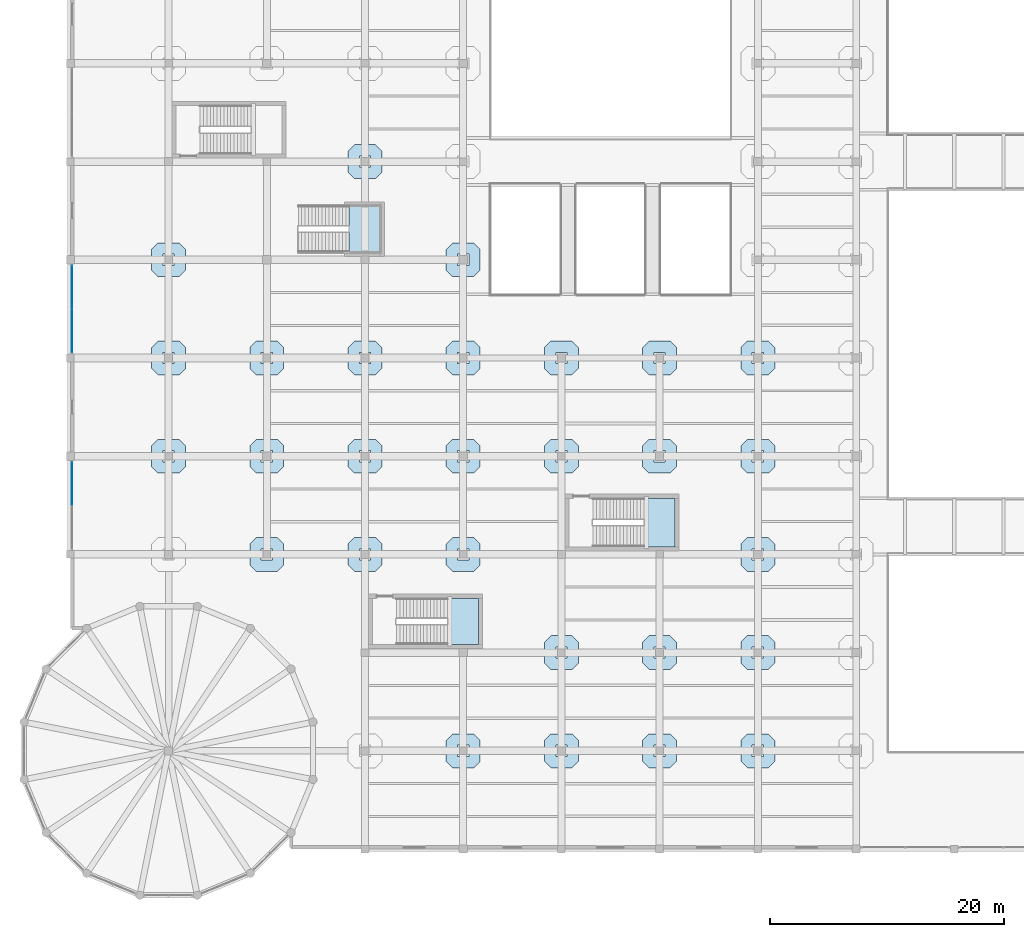
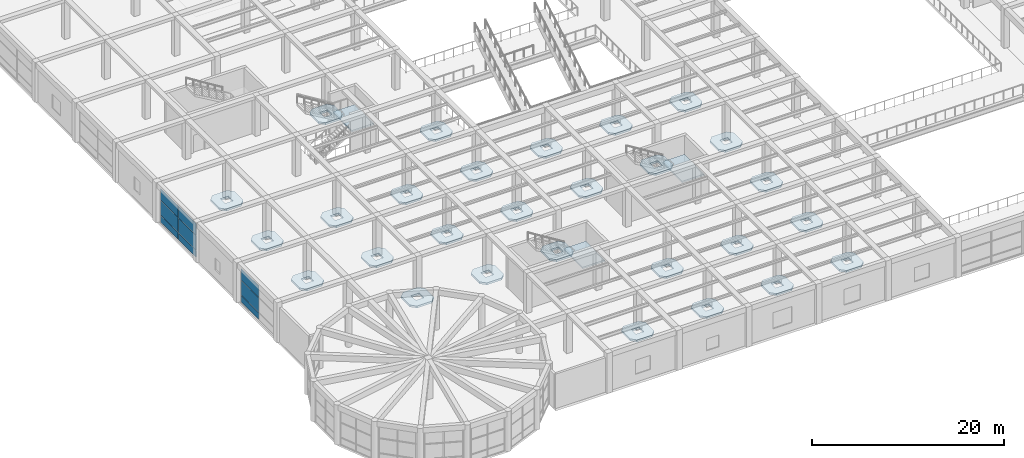
# One storey, part 69 of 96: 31 slabs, 9 plates, 5 elements without a shape of their own.
"""IFC4 building model written with IfcOpenShell, lengths in metres."""

from ifc_helpers import new_model, si_unit, direction, frame, origin, origin_2d, place, context, subcontext, project, spatial, polyline, rectangle, outline, extrude, material, layer, layer_set, type_object, element, aggregate, save


model = new_model("IFC4")

# Units and contexts
model_context = context("Model", 3, precision=1e-05, world=origin(), true_north=direction((0.0, 1.0)))
body_context = subcontext(model_context, "Body", "Model", "MODEL_VIEW")
ifc_project = project(units=[si_unit("LENGTHUNIT", "METRE"), si_unit("AREAUNIT", "SQUARE_METRE"), si_unit("VOLUMEUNIT", "CUBIC_METRE"), si_unit("PLANEANGLEUNIT", "RADIAN"), si_unit("MASSUNIT", "GRAM", prefix="KILO")], contexts=[model_context])

# Site, building, storey
site_placement = place(None, origin())
site = spatial("IfcSite", under=ifc_project, at=site_placement, CompositionType="ELEMENT")
building_placement = place(site_placement, origin())
building = spatial("IfcBuilding", under=site, at=building_placement, Name="Almacenes y Pasaje Nevantli", CompositionType="ELEMENT")
storey_placement = place(building_placement, frame((0.0, 0.0, 6.0)))
storey = spatial("IfcBuildingStorey", under=building, at=storey_placement, Name="L02", CompositionType="ELEMENT", Elevation=6.0)

# Curtain wall, plates
ifc_material_1 = material(Name="Thermally Broken Aluminium and Low-E Glass", Category="aluminium")
curtain_wall_type = type_object("IfcCurtainWallType", Name="CW-UNIT-PODIUM", PredefinedType="USERDEFINED", material=ifc_material_1)
curtain_wall_1_placement = place(storey_placement, origin())
curtain_wall_1 = element("IfcCurtainWall", 1, at=curtain_wall_1_placement, inside=storey, type_object=curtain_wall_type, Name="L02 West Avenue Unitized Curtain Wall Bay 4", ObjectType="UNITIZED CURTAIN WALL", PredefinedType="USERDEFINED")
ifc_material_2 = material(Name="Low-E Double Glazed Insulated Unit", Category="glass")
ifc_layer_1 = layer(ifc_material_2, 0.031982421875)
ifc_layer_set_1 = layer_set([ifc_layer_1], Name="Low-E Double Glazed Insulated Unit")
plate_type = type_object("IfcPlateType", Name="PL-IGU-32", PredefinedType="CURTAIN_PANEL", material=ifc_layer_set_1)
plate_1_placement = place(storey_placement, frame((0.14990234375, 31.26123046875, 0.05517578125), z_axis=(0.0, 0.0, 1.0), x_axis=(0.0, 1.0, 0.0)))
plate_1 = element("IfcPlate", 2, at=plate_1_placement, type_object=plate_type, Name="CW-L02-015 panel 2.1", PredefinedType="CURTAIN_PANEL", context=body_context, shape_type="SweptSolid", body=[
    extrude(rectangle(XDim=3.66748046875, YDim=0.031982421875, at=origin_2d()), origin(), (0.0, 0.0, 1.0), 0.867431640625),
])
plate_2_placement = place(storey_placement, frame((0.14990234375, 31.26123046875, 0.9775390625), z_axis=(0.0, 0.0, 1.0), x_axis=(0.0, 1.0, 0.0)))
plate_2 = element("IfcPlate", 3, at=plate_2_placement, type_object=plate_type, Name="CW-L02-015 panel 2.2", PredefinedType="CURTAIN_PANEL", context=body_context, shape_type="SweptSolid", body=[
    extrude(rectangle(XDim=3.66748046875, YDim=0.031982421875, at=origin_2d()), origin(), (0.0, 0.0, 1.0), 1.844970703125),
])
plate_3_placement = place(storey_placement, frame((0.14990234375, 31.26123046875, 2.87744140625), z_axis=(0.0, 0.0, 1.0), x_axis=(0.0, 1.0, 0.0)))
plate_3 = element("IfcPlate", 4, at=plate_3_placement, type_object=plate_type, Name="CW-L02-015 panel 2.3", PredefinedType="CURTAIN_PANEL", context=body_context, shape_type="SweptSolid", body=[
    extrude(rectangle(XDim=3.66748046875, YDim=0.031982421875, at=origin_2d()), origin(), (0.0, 0.0, 1.0), 1.447509765625),
])
aggregate(curtain_wall_1, [plate_1, plate_2, plate_3])

curtain_wall_2_placement = place(storey_placement, origin())
curtain_wall_2 = element("IfcCurtainWall", 5, at=curtain_wall_2_placement, inside=storey, type_object=curtain_wall_type, Name="L02 West Avenue Unitized Curtain Wall Bay 6", ObjectType="UNITIZED CURTAIN WALL", PredefinedType="USERDEFINED")
plate_4_placement = place(storey_placement, frame((0.14990234375, 44.3388671875, 0.05517578125), z_axis=(0.0, 0.0, 1.0), x_axis=(0.0, 1.0, 0.0)))
plate_4 = element("IfcPlate", 6, at=plate_4_placement, type_object=plate_type, Name="CW-L02-016 panel 1.1", PredefinedType="CURTAIN_PANEL", context=body_context, shape_type="SweptSolid", body=[
    extrude(rectangle(XDim=3.66748046875, YDim=0.031982421875, at=origin_2d()), origin(), (0.0, 0.0, 1.0), 0.867431640625),
])
plate_5_placement = place(storey_placement, frame((0.14990234375, 44.3388671875, 0.9775390625), z_axis=(0.0, 0.0, 1.0), x_axis=(0.0, 1.0, 0.0)))
plate_5 = element("IfcPlate", 7, at=plate_5_placement, type_object=plate_type, Name="CW-L02-016 panel 1.2", PredefinedType="CURTAIN_PANEL", context=body_context, shape_type="SweptSolid", body=[
    extrude(rectangle(XDim=3.66748046875, YDim=0.031982421875, at=origin_2d()), origin(), (0.0, 0.0, 1.0), 1.844970703125),
])
plate_6_placement = place(storey_placement, frame((0.14990234375, 44.3388671875, 2.87744140625), z_axis=(0.0, 0.0, 1.0), x_axis=(0.0, 1.0, 0.0)))
plate_6 = element("IfcPlate", 8, at=plate_6_placement, type_object=plate_type, Name="CW-L02-016 panel 1.3", PredefinedType="CURTAIN_PANEL", context=body_context, shape_type="SweptSolid", body=[
    extrude(rectangle(XDim=3.66748046875, YDim=0.031982421875, at=origin_2d()), origin(), (0.0, 0.0, 1.0), 1.447509765625),
])
plate_7_placement = place(storey_placement, frame((0.14990234375, 48.061279296875, 0.05517578125), z_axis=(0.0, 0.0, 1.0), x_axis=(0.0, 1.0, 0.0)))
plate_7 = element("IfcPlate", 9, at=plate_7_placement, type_object=plate_type, Name="CW-L02-016 panel 2.1", PredefinedType="CURTAIN_PANEL", context=body_context, shape_type="SweptSolid", body=[
    extrude(rectangle(XDim=3.66748046875, YDim=0.031982421875, at=origin_2d()), origin(), (0.0, 0.0, 1.0), 0.867431640625),
])
plate_8_placement = place(storey_placement, frame((0.14990234375, 48.061279296875, 0.9775390625), z_axis=(0.0, 0.0, 1.0), x_axis=(0.0, 1.0, 0.0)))
plate_8 = element("IfcPlate", 10, at=plate_8_placement, type_object=plate_type, Name="CW-L02-016 panel 2.2", PredefinedType="CURTAIN_PANEL", context=body_context, shape_type="SweptSolid", body=[
    extrude(rectangle(XDim=3.66748046875, YDim=0.031982421875, at=origin_2d()), origin(), (0.0, 0.0, 1.0), 1.844970703125),
])
plate_9_placement = place(storey_placement, frame((0.14990234375, 48.061279296875, 2.87744140625), z_axis=(0.0, 0.0, 1.0), x_axis=(0.0, 1.0, 0.0)))
plate_9 = element("IfcPlate", 11, at=plate_9_placement, type_object=plate_type, Name="CW-L02-016 panel 2.3", PredefinedType="CURTAIN_PANEL", context=body_context, shape_type="SweptSolid", body=[
    extrude(rectangle(XDim=3.66748046875, YDim=0.031982421875, at=origin_2d()), origin(), (0.0, 0.0, 1.0), 1.447509765625),
])
aggregate(curtain_wall_2, [plate_4, plate_5, plate_6, plate_7, plate_8, plate_9])

# Slabs
ifc_material_3 = material(Name="Concrete C35/45", Category="concrete")
ifc_layer_2 = layer(ifc_material_3, 0.25)
ifc_layer_set_2 = layer_set([ifc_layer_2], Name="Concrete C35/45")
slab_type_1 = type_object("IfcSlabType", Name="SLB-DP-250", PredefinedType="USERDEFINED", material=ifc_layer_set_2)
slab_1_placement = place(storey_placement, frame((0.0, 0.0, -0.550048828125)))
element("IfcSlab", 12, at=slab_1_placement, inside=storey, type_object=slab_type_1, Name="L02 Punching-Shear Drop Panel DP-02 #401", ObjectType="DROP PANEL", PredefinedType="USERDEFINED", context=body_context, shape_type="SweptSolid", body=[
    extrude(outline(polyline([(7.5, 32.14990234375), (9.300048828125, 32.14990234375), (9.85009765625, 32.699951171875), (9.85009765625, 34.5), (9.300048828125, 35.050048828125), (7.5, 35.050048828125), (6.949951171875, 34.5), (6.949951171875, 32.699951171875), (7.5, 32.14990234375)]), holes=[polyline([(7.919921875, 33.1201171875), (8.8798828125, 33.1201171875), (8.8798828125, 34.080078125), (7.919921875, 34.080078125), (7.919921875, 33.1201171875)])]), origin(), (0.0, 0.0, 1.0), 0.25),
])
slab_2_placement = place(storey_placement, frame((0.0, 0.0, -0.550048828125)))
element("IfcSlab", 13, at=slab_2_placement, inside=storey, type_object=slab_type_1, Name="L02 Punching-Shear Drop Panel DP-02 #402", ObjectType="DROP PANEL", PredefinedType="USERDEFINED", context=body_context, shape_type="SweptSolid", body=[
    extrude(outline(polyline([(7.5, 40.550048828125), (9.300048828125, 40.550048828125), (9.85009765625, 41.10009765625), (9.85009765625, 42.89990234375), (9.300048828125, 43.449951171875), (7.5, 43.449951171875), (6.949951171875, 42.89990234375), (6.949951171875, 41.10009765625), (7.5, 40.550048828125)]), holes=[polyline([(7.919921875, 41.52001953125), (8.8798828125, 41.52001953125), (8.8798828125, 42.47998046875), (7.919921875, 42.47998046875), (7.919921875, 41.52001953125)])]), origin(), (0.0, 0.0, 1.0), 0.25),
])
slab_3_placement = place(storey_placement, frame((0.0, 0.0, -0.550048828125)))
element("IfcSlab", 14, at=slab_3_placement, inside=storey, type_object=slab_type_1, Name="L02 Punching-Shear Drop Panel DP-02 #403", ObjectType="DROP PANEL", PredefinedType="USERDEFINED", context=body_context, shape_type="SweptSolid", body=[
    extrude(outline(polyline([(7.5, 48.949951171875), (9.300048828125, 48.949951171875), (9.85009765625, 49.5), (9.85009765625, 51.300048828125), (9.300048828125, 51.85009765625), (7.5, 51.85009765625), (6.949951171875, 51.300048828125), (6.949951171875, 49.5), (7.5, 48.949951171875)]), holes=[polyline([(7.919921875, 49.919921875), (8.8798828125, 49.919921875), (8.8798828125, 50.8798828125), (7.919921875, 50.8798828125), (7.919921875, 49.919921875)])]), origin(), (0.0, 0.0, 1.0), 0.25),
])
slab_4_placement = place(storey_placement, frame((0.0, 0.0, -0.550048828125)))
element("IfcSlab", 15, at=slab_4_placement, inside=storey, type_object=slab_type_1, Name="L02 Punching-Shear Drop Panel DP-02 #409", ObjectType="DROP PANEL", PredefinedType="USERDEFINED", context=body_context, shape_type="SweptSolid", body=[
    extrude(outline(polyline([(15.89990234375, 23.75), (17.699951171875, 23.75), (18.25, 24.300048828125), (18.25, 26.10009765625), (17.699951171875, 26.64990234375), (15.89990234375, 26.64990234375), (15.35009765625, 26.10009765625), (15.35009765625, 24.300048828125), (15.89990234375, 23.75)]), holes=[polyline([(16.320068359375, 24.719970703125), (17.280029296875, 24.719970703125), (17.280029296875, 25.679931640625), (16.320068359375, 25.679931640625), (16.320068359375, 24.719970703125)])]), origin(), (0.0, 0.0, 1.0), 0.25),
])
slab_5_placement = place(storey_placement, frame((0.0, 0.0, -0.550048828125)))
element("IfcSlab", 16, at=slab_5_placement, inside=storey, type_object=slab_type_1, Name="L02 Punching-Shear Drop Panel DP-02 #410", ObjectType="DROP PANEL", PredefinedType="USERDEFINED", context=body_context, shape_type="SweptSolid", body=[
    extrude(outline(polyline([(15.89990234375, 32.14990234375), (17.699951171875, 32.14990234375), (18.25, 32.699951171875), (18.25, 34.5), (17.699951171875, 35.050048828125), (15.89990234375, 35.050048828125), (15.35009765625, 34.5), (15.35009765625, 32.699951171875), (15.89990234375, 32.14990234375)]), holes=[polyline([(16.320068359375, 33.1201171875), (17.280029296875, 33.1201171875), (17.280029296875, 34.080078125), (16.320068359375, 34.080078125), (16.320068359375, 33.1201171875)])]), origin(), (0.0, 0.0, 1.0), 0.25),
])
slab_6_placement = place(storey_placement, frame((0.0, 0.0, -0.550048828125)))
element("IfcSlab", 17, at=slab_6_placement, inside=storey, type_object=slab_type_1, Name="L02 Punching-Shear Drop Panel DP-02 #411", ObjectType="DROP PANEL", PredefinedType="USERDEFINED", context=body_context, shape_type="SweptSolid", body=[
    extrude(outline(polyline([(15.89990234375, 40.550048828125), (17.699951171875, 40.550048828125), (18.25, 41.10009765625), (18.25, 42.89990234375), (17.699951171875, 43.449951171875), (15.89990234375, 43.449951171875), (15.35009765625, 42.89990234375), (15.35009765625, 41.10009765625), (15.89990234375, 40.550048828125)]), holes=[polyline([(16.320068359375, 41.52001953125), (17.280029296875, 41.52001953125), (17.280029296875, 42.47998046875), (16.320068359375, 42.47998046875), (16.320068359375, 41.52001953125)])]), origin(), (0.0, 0.0, 1.0), 0.25),
])
slab_7_placement = place(storey_placement, frame((0.0, 0.0, -0.550048828125)))
element("IfcSlab", 18, at=slab_7_placement, inside=storey, type_object=slab_type_1, Name="L02 Punching-Shear Drop Panel DP-02 #418", ObjectType="DROP PANEL", PredefinedType="USERDEFINED", context=body_context, shape_type="SweptSolid", body=[
    extrude(outline(polyline([(24.300048828125, 23.75), (26.10009765625, 23.75), (26.64990234375, 24.300048828125), (26.64990234375, 26.10009765625), (26.10009765625, 26.64990234375), (24.300048828125, 26.64990234375), (23.75, 26.10009765625), (23.75, 24.300048828125), (24.300048828125, 23.75)]), holes=[polyline([(24.719970703125, 24.719970703125), (25.679931640625, 24.719970703125), (25.679931640625, 25.679931640625), (24.719970703125, 25.679931640625), (24.719970703125, 24.719970703125)])]), origin(), (0.0, 0.0, 1.0), 0.25),
])
slab_8_placement = place(storey_placement, frame((0.0, 0.0, -0.550048828125)))
element("IfcSlab", 19, at=slab_8_placement, inside=storey, type_object=slab_type_1, Name="L02 Punching-Shear Drop Panel DP-02 #419", ObjectType="DROP PANEL", PredefinedType="USERDEFINED", context=body_context, shape_type="SweptSolid", body=[
    extrude(outline(polyline([(24.300048828125, 32.14990234375), (26.10009765625, 32.14990234375), (26.64990234375, 32.699951171875), (26.64990234375, 34.5), (26.10009765625, 35.050048828125), (24.300048828125, 35.050048828125), (23.75, 34.5), (23.75, 32.699951171875), (24.300048828125, 32.14990234375)]), holes=[polyline([(24.719970703125, 33.1201171875), (25.679931640625, 33.1201171875), (25.679931640625, 34.080078125), (24.719970703125, 34.080078125), (24.719970703125, 33.1201171875)])]), origin(), (0.0, 0.0, 1.0), 0.25),
])
slab_9_placement = place(storey_placement, frame((0.0, 0.0, -0.550048828125)))
element("IfcSlab", 20, at=slab_9_placement, inside=storey, type_object=slab_type_1, Name="L02 Punching-Shear Drop Panel DP-02 #420", ObjectType="DROP PANEL", PredefinedType="USERDEFINED", context=body_context, shape_type="SweptSolid", body=[
    extrude(outline(polyline([(24.300048828125, 40.550048828125), (26.10009765625, 40.550048828125), (26.64990234375, 41.10009765625), (26.64990234375, 42.89990234375), (26.10009765625, 43.449951171875), (24.300048828125, 43.449951171875), (23.75, 42.89990234375), (23.75, 41.10009765625), (24.300048828125, 40.550048828125)]), holes=[polyline([(24.719970703125, 41.52001953125), (25.679931640625, 41.52001953125), (25.679931640625, 42.47998046875), (24.719970703125, 42.47998046875), (24.719970703125, 41.52001953125)])]), origin(), (0.0, 0.0, 1.0), 0.25),
])
slab_10_placement = place(storey_placement, frame((0.0, 0.0, -0.550048828125)))
element("IfcSlab", 21, at=slab_10_placement, inside=storey, type_object=slab_type_1, Name="L02 Punching-Shear Drop Panel DP-02 #421", ObjectType="DROP PANEL", PredefinedType="USERDEFINED", context=body_context, shape_type="SweptSolid", body=[
    extrude(outline(polyline([(24.300048828125, 57.35009765625), (26.10009765625, 57.35009765625), (26.64990234375, 57.89990234375), (26.64990234375, 59.699951171875), (26.10009765625, 60.25), (24.300048828125, 60.25), (23.75, 59.699951171875), (23.75, 57.89990234375), (24.300048828125, 57.35009765625)]), holes=[polyline([(24.719970703125, 58.320068359375), (25.679931640625, 58.320068359375), (25.679931640625, 59.280029296875), (24.719970703125, 59.280029296875), (24.719970703125, 58.320068359375)])]), origin(), (0.0, 0.0, 1.0), 0.25),
])
slab_11_placement = place(storey_placement, frame((0.0, 0.0, -0.550048828125)))
element("IfcSlab", 22, at=slab_11_placement, inside=storey, type_object=slab_type_1, Name="L02 Punching-Shear Drop Panel DP-02 #428", ObjectType="DROP PANEL", PredefinedType="USERDEFINED", context=body_context, shape_type="SweptSolid", body=[
    extrude(outline(polyline([(32.699951171875, 6.949951171875), (34.5, 6.949951171875), (35.050048828125, 7.5), (35.050048828125, 9.300048828125), (34.5, 9.85009765625), (32.699951171875, 9.85009765625), (32.14990234375, 9.300048828125), (32.14990234375, 7.5), (32.699951171875, 6.949951171875)]), holes=[polyline([(33.1201171875, 7.919921875), (34.080078125, 7.919921875), (34.080078125, 8.8798828125), (33.1201171875, 8.8798828125), (33.1201171875, 7.919921875)])]), origin(), (0.0, 0.0, 1.0), 0.25),
])
slab_12_placement = place(storey_placement, frame((0.0, 0.0, -0.550048828125)))
element("IfcSlab", 23, at=slab_12_placement, inside=storey, type_object=slab_type_1, Name="L02 Punching-Shear Drop Panel DP-02 #429", ObjectType="DROP PANEL", PredefinedType="USERDEFINED", context=body_context, shape_type="SweptSolid", body=[
    extrude(outline(polyline([(32.699951171875, 23.75), (34.5, 23.75), (35.050048828125, 24.300048828125), (35.050048828125, 26.10009765625), (34.5, 26.64990234375), (32.699951171875, 26.64990234375), (32.14990234375, 26.10009765625), (32.14990234375, 24.300048828125), (32.699951171875, 23.75)]), holes=[polyline([(33.1201171875, 24.719970703125), (34.080078125, 24.719970703125), (34.080078125, 25.679931640625), (33.1201171875, 25.679931640625), (33.1201171875, 24.719970703125)])]), origin(), (0.0, 0.0, 1.0), 0.25),
])
slab_13_placement = place(storey_placement, frame((0.0, 0.0, -0.550048828125)))
element("IfcSlab", 24, at=slab_13_placement, inside=storey, type_object=slab_type_1, Name="L02 Punching-Shear Drop Panel DP-02 #430", ObjectType="DROP PANEL", PredefinedType="USERDEFINED", context=body_context, shape_type="SweptSolid", body=[
    extrude(outline(polyline([(32.699951171875, 32.14990234375), (34.5, 32.14990234375), (35.050048828125, 32.699951171875), (35.050048828125, 34.5), (34.5, 35.050048828125), (32.699951171875, 35.050048828125), (32.14990234375, 34.5), (32.14990234375, 32.699951171875), (32.699951171875, 32.14990234375)]), holes=[polyline([(33.1201171875, 33.1201171875), (34.080078125, 33.1201171875), (34.080078125, 34.080078125), (33.1201171875, 34.080078125), (33.1201171875, 33.1201171875)])]), origin(), (0.0, 0.0, 1.0), 0.25),
])
slab_14_placement = place(storey_placement, frame((0.0, 0.0, -0.550048828125)))
element("IfcSlab", 25, at=slab_14_placement, inside=storey, type_object=slab_type_1, Name="L02 Punching-Shear Drop Panel DP-02 #431", ObjectType="DROP PANEL", PredefinedType="USERDEFINED", context=body_context, shape_type="SweptSolid", body=[
    extrude(outline(polyline([(32.699951171875, 40.550048828125), (34.5, 40.550048828125), (35.050048828125, 41.10009765625), (35.050048828125, 42.89990234375), (34.5, 43.449951171875), (32.699951171875, 43.449951171875), (32.14990234375, 42.89990234375), (32.14990234375, 41.10009765625), (32.699951171875, 40.550048828125)]), holes=[polyline([(33.1201171875, 41.52001953125), (34.080078125, 41.52001953125), (34.080078125, 42.47998046875), (33.1201171875, 42.47998046875), (33.1201171875, 41.52001953125)])]), origin(), (0.0, 0.0, 1.0), 0.25),
])
slab_15_placement = place(storey_placement, frame((0.0, 0.0, -0.550048828125)))
element("IfcSlab", 26, at=slab_15_placement, inside=storey, type_object=slab_type_1, Name="L02 Punching-Shear Drop Panel DP-02 #432", ObjectType="DROP PANEL", PredefinedType="USERDEFINED", context=body_context, shape_type="SweptSolid", body=[
    extrude(outline(polyline([(32.699951171875, 48.949951171875), (34.5, 48.949951171875), (35.050048828125, 49.5), (35.050048828125, 51.300048828125), (34.5, 51.85009765625), (32.699951171875, 51.85009765625), (32.14990234375, 51.300048828125), (32.14990234375, 49.5), (32.699951171875, 48.949951171875)]), holes=[polyline([(33.1201171875, 49.919921875), (34.080078125, 49.919921875), (34.080078125, 50.8798828125), (33.1201171875, 50.8798828125), (33.1201171875, 49.919921875)])]), origin(), (0.0, 0.0, 1.0), 0.25),
])
slab_16_placement = place(storey_placement, frame((0.0, 0.0, -0.550048828125)))
element("IfcSlab", 27, at=slab_16_placement, inside=storey, type_object=slab_type_1, Name="L02 Punching-Shear Drop Panel DP-02 #439", ObjectType="DROP PANEL", PredefinedType="USERDEFINED", context=body_context, shape_type="SweptSolid", body=[
    extrude(outline(polyline([(41.10009765625, 6.949951171875), (42.89990234375, 6.949951171875), (43.449951171875, 7.5), (43.449951171875, 9.300048828125), (42.89990234375, 9.85009765625), (41.10009765625, 9.85009765625), (40.550048828125, 9.300048828125), (40.550048828125, 7.5), (41.10009765625, 6.949951171875)]), holes=[polyline([(41.52001953125, 7.919921875), (42.47998046875, 7.919921875), (42.47998046875, 8.8798828125), (41.52001953125, 8.8798828125), (41.52001953125, 7.919921875)])]), origin(), (0.0, 0.0, 1.0), 0.25),
])
slab_17_placement = place(storey_placement, frame((0.0, 0.0, -0.550048828125)))
element("IfcSlab", 28, at=slab_17_placement, inside=storey, type_object=slab_type_1, Name="L02 Punching-Shear Drop Panel DP-02 #440", ObjectType="DROP PANEL", PredefinedType="USERDEFINED", context=body_context, shape_type="SweptSolid", body=[
    extrude(outline(polyline([(41.10009765625, 15.35009765625), (42.89990234375, 15.35009765625), (43.449951171875, 15.89990234375), (43.449951171875, 17.699951171875), (42.89990234375, 18.25), (41.10009765625, 18.25), (40.550048828125, 17.699951171875), (40.550048828125, 15.89990234375), (41.10009765625, 15.35009765625)]), holes=[polyline([(41.52001953125, 16.320068359375), (42.47998046875, 16.320068359375), (42.47998046875, 17.280029296875), (41.52001953125, 17.280029296875), (41.52001953125, 16.320068359375)])]), origin(), (0.0, 0.0, 1.0), 0.25),
])
slab_18_placement = place(storey_placement, frame((0.0, 0.0, -0.550048828125)))
element("IfcSlab", 29, at=slab_18_placement, inside=storey, type_object=slab_type_1, Name="L02 Punching-Shear Drop Panel DP-02 #441", ObjectType="DROP PANEL", PredefinedType="USERDEFINED", context=body_context, shape_type="SweptSolid", body=[
    extrude(outline(polyline([(41.10009765625, 32.14990234375), (42.89990234375, 32.14990234375), (43.449951171875, 32.699951171875), (43.449951171875, 34.5), (42.89990234375, 35.050048828125), (41.10009765625, 35.050048828125), (40.550048828125, 34.5), (40.550048828125, 32.699951171875), (41.10009765625, 32.14990234375)]), holes=[polyline([(41.52001953125, 33.1201171875), (42.47998046875, 33.1201171875), (42.47998046875, 34.080078125), (41.52001953125, 34.080078125), (41.52001953125, 33.1201171875)])]), origin(), (0.0, 0.0, 1.0), 0.25),
])
slab_19_placement = place(storey_placement, frame((0.0, 0.0, -0.550048828125)))
element("IfcSlab", 30, at=slab_19_placement, inside=storey, type_object=slab_type_1, Name="L02 Punching-Shear Drop Panel DP-02 #442", ObjectType="DROP PANEL", PredefinedType="USERDEFINED", context=body_context, shape_type="SweptSolid", body=[
    extrude(outline(polyline([(41.10009765625, 40.550048828125), (42.89990234375, 40.550048828125), (43.449951171875, 41.10009765625), (43.449951171875, 42.89990234375), (42.89990234375, 43.449951171875), (41.10009765625, 43.449951171875), (40.550048828125, 42.89990234375), (40.550048828125, 41.10009765625), (41.10009765625, 40.550048828125)]), holes=[polyline([(41.52001953125, 41.52001953125), (42.47998046875, 41.52001953125), (42.47998046875, 42.47998046875), (41.52001953125, 42.47998046875), (41.52001953125, 41.52001953125)])]), origin(), (0.0, 0.0, 1.0), 0.25),
])
slab_20_placement = place(storey_placement, frame((0.0, 0.0, -0.550048828125)))
element("IfcSlab", 31, at=slab_20_placement, inside=storey, type_object=slab_type_1, Name="L02 Punching-Shear Drop Panel DP-02 #447", ObjectType="DROP PANEL", PredefinedType="USERDEFINED", context=body_context, shape_type="SweptSolid", body=[
    extrude(outline(polyline([(49.5, 6.949951171875), (51.300048828125, 6.949951171875), (51.85009765625, 7.5), (51.85009765625, 9.300048828125), (51.300048828125, 9.85009765625), (49.5, 9.85009765625), (48.949951171875, 9.300048828125), (48.949951171875, 7.5), (49.5, 6.949951171875)]), holes=[polyline([(49.919921875, 7.919921875), (50.8798828125, 7.919921875), (50.8798828125, 8.8798828125), (49.919921875, 8.8798828125), (49.919921875, 7.919921875)])]), origin(), (0.0, 0.0, 1.0), 0.25),
])
slab_21_placement = place(storey_placement, frame((0.0, 0.0, -0.550048828125)))
element("IfcSlab", 32, at=slab_21_placement, inside=storey, type_object=slab_type_1, Name="L02 Punching-Shear Drop Panel DP-02 #448", ObjectType="DROP PANEL", PredefinedType="USERDEFINED", context=body_context, shape_type="SweptSolid", body=[
    extrude(outline(polyline([(49.5, 15.35009765625), (51.300048828125, 15.35009765625), (51.85009765625, 15.89990234375), (51.85009765625, 17.699951171875), (51.300048828125, 18.25), (49.5, 18.25), (48.949951171875, 17.699951171875), (48.949951171875, 15.89990234375), (49.5, 15.35009765625)]), holes=[polyline([(49.919921875, 16.320068359375), (50.8798828125, 16.320068359375), (50.8798828125, 17.280029296875), (49.919921875, 17.280029296875), (49.919921875, 16.320068359375)])]), origin(), (0.0, 0.0, 1.0), 0.25),
])
slab_22_placement = place(storey_placement, frame((0.0, 0.0, -0.550048828125)))
element("IfcSlab", 33, at=slab_22_placement, inside=storey, type_object=slab_type_1, Name="L02 Punching-Shear Drop Panel DP-02 #449", ObjectType="DROP PANEL", PredefinedType="USERDEFINED", context=body_context, shape_type="SweptSolid", body=[
    extrude(outline(polyline([(49.5, 32.14990234375), (51.300048828125, 32.14990234375), (51.85009765625, 32.699951171875), (51.85009765625, 34.5), (51.300048828125, 35.050048828125), (49.5, 35.050048828125), (48.949951171875, 34.5), (48.949951171875, 32.699951171875), (49.5, 32.14990234375)]), holes=[polyline([(49.919921875, 33.1201171875), (50.8798828125, 33.1201171875), (50.8798828125, 34.080078125), (49.919921875, 34.080078125), (49.919921875, 33.1201171875)])]), origin(), (0.0, 0.0, 1.0), 0.25),
])
slab_23_placement = place(storey_placement, frame((0.0, 0.0, -0.550048828125)))
element("IfcSlab", 34, at=slab_23_placement, inside=storey, type_object=slab_type_1, Name="L02 Punching-Shear Drop Panel DP-02 #450", ObjectType="DROP PANEL", PredefinedType="USERDEFINED", context=body_context, shape_type="SweptSolid", body=[
    extrude(outline(polyline([(49.5, 40.550048828125), (51.300048828125, 40.550048828125), (51.85009765625, 41.10009765625), (51.85009765625, 42.89990234375), (51.300048828125, 43.449951171875), (49.5, 43.449951171875), (48.949951171875, 42.89990234375), (48.949951171875, 41.10009765625), (49.5, 40.550048828125)]), holes=[polyline([(49.919921875, 41.52001953125), (50.8798828125, 41.52001953125), (50.8798828125, 42.47998046875), (49.919921875, 42.47998046875), (49.919921875, 41.52001953125)])]), origin(), (0.0, 0.0, 1.0), 0.25),
])
slab_24_placement = place(storey_placement, frame((0.0, 0.0, -0.550048828125)))
element("IfcSlab", 35, at=slab_24_placement, inside=storey, type_object=slab_type_1, Name="L02 Punching-Shear Drop Panel DP-02 #455", ObjectType="DROP PANEL", PredefinedType="USERDEFINED", context=body_context, shape_type="SweptSolid", body=[
    extrude(outline(polyline([(57.89990234375, 6.949951171875), (59.699951171875, 6.949951171875), (60.25, 7.5), (60.25, 9.300048828125), (59.699951171875, 9.85009765625), (57.89990234375, 9.85009765625), (57.35009765625, 9.300048828125), (57.35009765625, 7.5), (57.89990234375, 6.949951171875)]), holes=[polyline([(58.320068359375, 7.919921875), (59.280029296875, 7.919921875), (59.280029296875, 8.8798828125), (58.320068359375, 8.8798828125), (58.320068359375, 7.919921875)])]), origin(), (0.0, 0.0, 1.0), 0.25),
])
slab_25_placement = place(storey_placement, frame((0.0, 0.0, -0.550048828125)))
element("IfcSlab", 36, at=slab_25_placement, inside=storey, type_object=slab_type_1, Name="L02 Punching-Shear Drop Panel DP-02 #456", ObjectType="DROP PANEL", PredefinedType="USERDEFINED", context=body_context, shape_type="SweptSolid", body=[
    extrude(outline(polyline([(57.89990234375, 15.35009765625), (59.699951171875, 15.35009765625), (60.25, 15.89990234375), (60.25, 17.699951171875), (59.699951171875, 18.25), (57.89990234375, 18.25), (57.35009765625, 17.699951171875), (57.35009765625, 15.89990234375), (57.89990234375, 15.35009765625)]), holes=[polyline([(58.320068359375, 16.320068359375), (59.280029296875, 16.320068359375), (59.280029296875, 17.280029296875), (58.320068359375, 17.280029296875), (58.320068359375, 16.320068359375)])]), origin(), (0.0, 0.0, 1.0), 0.25),
])
slab_26_placement = place(storey_placement, frame((0.0, 0.0, -0.550048828125)))
element("IfcSlab", 37, at=slab_26_placement, inside=storey, type_object=slab_type_1, Name="L02 Punching-Shear Drop Panel DP-02 #457", ObjectType="DROP PANEL", PredefinedType="USERDEFINED", context=body_context, shape_type="SweptSolid", body=[
    extrude(outline(polyline([(57.89990234375, 23.75), (59.699951171875, 23.75), (60.25, 24.300048828125), (60.25, 26.10009765625), (59.699951171875, 26.64990234375), (57.89990234375, 26.64990234375), (57.35009765625, 26.10009765625), (57.35009765625, 24.300048828125), (57.89990234375, 23.75)]), holes=[polyline([(58.320068359375, 24.719970703125), (59.280029296875, 24.719970703125), (59.280029296875, 25.679931640625), (58.320068359375, 25.679931640625), (58.320068359375, 24.719970703125)])]), origin(), (0.0, 0.0, 1.0), 0.25),
])
slab_27_placement = place(storey_placement, frame((0.0, 0.0, -0.550048828125)))
element("IfcSlab", 38, at=slab_27_placement, inside=storey, type_object=slab_type_1, Name="L02 Punching-Shear Drop Panel DP-02 #458", ObjectType="DROP PANEL", PredefinedType="USERDEFINED", context=body_context, shape_type="SweptSolid", body=[
    extrude(outline(polyline([(57.89990234375, 32.14990234375), (59.699951171875, 32.14990234375), (60.25, 32.699951171875), (60.25, 34.5), (59.699951171875, 35.050048828125), (57.89990234375, 35.050048828125), (57.35009765625, 34.5), (57.35009765625, 32.699951171875), (57.89990234375, 32.14990234375)]), holes=[polyline([(58.320068359375, 33.1201171875), (59.280029296875, 33.1201171875), (59.280029296875, 34.080078125), (58.320068359375, 34.080078125), (58.320068359375, 33.1201171875)])]), origin(), (0.0, 0.0, 1.0), 0.25),
])
slab_28_placement = place(storey_placement, frame((0.0, 0.0, -0.550048828125)))
element("IfcSlab", 39, at=slab_28_placement, inside=storey, type_object=slab_type_1, Name="L02 Punching-Shear Drop Panel DP-02 #459", ObjectType="DROP PANEL", PredefinedType="USERDEFINED", context=body_context, shape_type="SweptSolid", body=[
    extrude(outline(polyline([(57.89990234375, 40.550048828125), (59.699951171875, 40.550048828125), (60.25, 41.10009765625), (60.25, 42.89990234375), (59.699951171875, 43.449951171875), (57.89990234375, 43.449951171875), (57.35009765625, 42.89990234375), (57.35009765625, 41.10009765625), (57.89990234375, 40.550048828125)]), holes=[polyline([(58.320068359375, 41.52001953125), (59.280029296875, 41.52001953125), (59.280029296875, 42.47998046875), (58.320068359375, 42.47998046875), (58.320068359375, 41.52001953125)])]), origin(), (0.0, 0.0, 1.0), 0.25),
])

# Stair, slab
ifc_material_4 = material(Name="Concrete C35/45", Category="concrete")
stair_type_1 = type_object("IfcStairType", Name="STR-CORE-1750", PredefinedType="HALF_TURN_STAIR", material=ifc_material_4)
stair_1_placement = place(storey_placement, origin())
stair_1 = element("IfcStair", 40, at=stair_1_placement, inside=storey, type_object=stair_type_1, Name="L02 Staircase ST-04", PredefinedType="HALF_TURN_STAIR")
ifc_material_5 = material(Name="Concrete C35/45", Category="concrete")
ifc_layer_3 = layer(ifc_material_5, 0.199951171875)
ifc_layer_set_3 = layer_set([ifc_layer_3], Name="Concrete C35/45")
slab_type_2 = type_object("IfcSlabType", Name="SLB-LAND-200", PredefinedType="LANDING", material=ifc_layer_set_3)
slab_29_placement = place(storey_placement, frame((0.0, 0.0, 2.5)))
slab_29 = element("IfcSlab", 41, at=slab_29_placement, type_object=slab_type_2, Name="ST-04-L02 landing 1", PredefinedType="LANDING", context=body_context, shape_type="SweptSolid", body=[
    extrude(outline(polyline([(32.235107421875, 17.5), (34.89990234375, 17.5), (34.89990234375, 21.449951171875), (32.235107421875, 21.449951171875), (32.235107421875, 17.5)])), origin(), (0.0, 0.0, 1.0), 0.199951171875),
])
aggregate(stair_1, [slab_29])

ifc_material_6 = material(Name="Concrete C35/45", Category="concrete")
stair_type_2 = type_object("IfcStairType", Name="STR-CORE-1850", PredefinedType="HALF_TURN_STAIR", material=ifc_material_6)
stair_2_placement = place(storey_placement, origin())
stair_2 = element("IfcStair", 42, at=stair_2_placement, inside=storey, type_object=stair_type_2, Name="L02 Staircase ST-14", PredefinedType="HALF_TURN_STAIR")
slab_30_placement = place(storey_placement, frame((0.0, 0.0, 2.5)))
slab_30 = element("IfcSlab", 43, at=slab_30_placement, type_object=slab_type_2, Name="ST-14-L02 landing 1", PredefinedType="LANDING", context=body_context, shape_type="SweptSolid", body=[
    extrude(outline(polyline([(49.034912109375, 25.85009765625), (51.699951171875, 25.85009765625), (51.699951171875, 30.0), (49.034912109375, 30.0), (49.034912109375, 25.85009765625)])), origin(), (0.0, 0.0, 1.0), 0.199951171875),
])
aggregate(stair_2, [slab_30])

ifc_material_7 = material(Name="Concrete C35/45", Category="concrete")
stair_type_3 = type_object("IfcStairType", Name="STR-FEAT-1750", PredefinedType="HALF_TURN_STAIR", material=ifc_material_7)
stair_3_placement = place(storey_placement, origin())
stair_3 = element("IfcStair", 44, at=stair_3_placement, inside=storey, type_object=stair_type_3, Name="L02 Staircase ST-10", PredefinedType="HALF_TURN_STAIR")
slab_31_placement = place(storey_placement, frame((0.0, 0.0, 2.5)))
slab_31 = element("IfcSlab", 45, at=slab_31_placement, type_object=slab_type_2, Name="ST-10-L02 landing 1", PredefinedType="LANDING", context=body_context, shape_type="SweptSolid", body=[
    extrude(outline(polyline([(23.8349609375, 51.050048828125), (26.5, 51.050048828125), (26.5, 55.0), (23.8349609375, 55.0), (23.8349609375, 51.050048828125)])), origin(), (0.0, 0.0, 1.0), 0.199951171875),
])
aggregate(stair_3, [slab_31])

save(model, "model.ifc")
